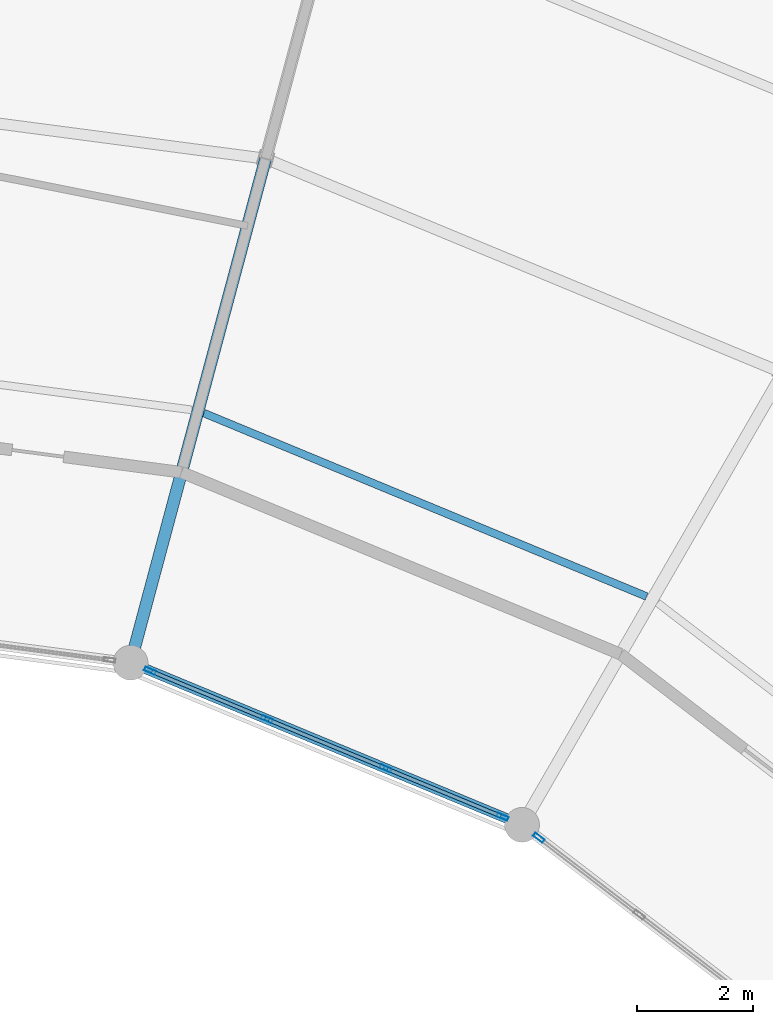
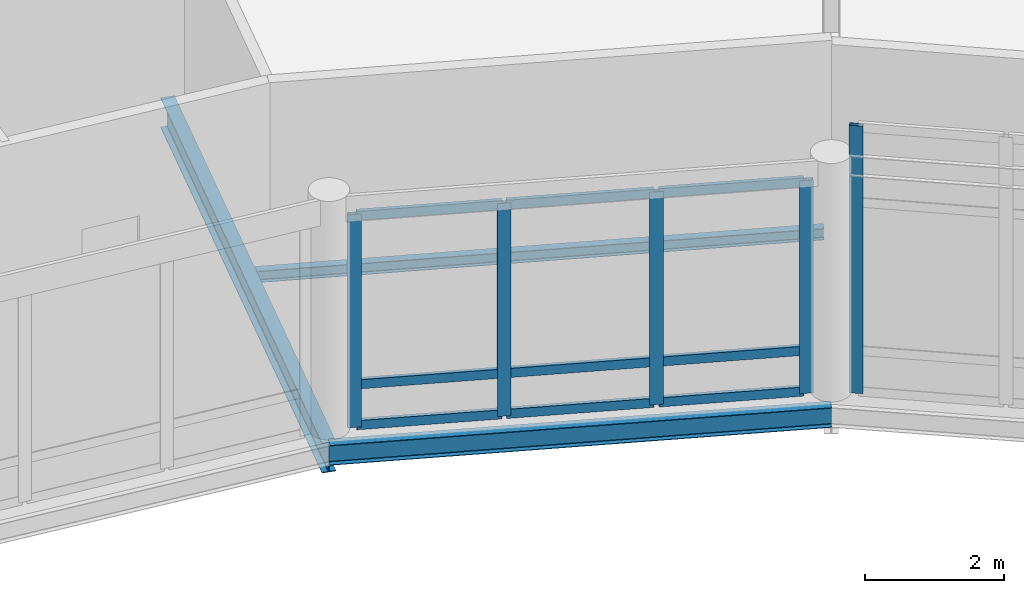
# One storey, part 99 of 200: 14 members, 3 beams, 2 elements without a shape of their own.
"""IFC4 building model written with IfcOpenShell, lengths in metres."""

from ifc_helpers import new_model, si_unit, direction, frame, origin, origin_2d, place, context, subcontext, project, spatial, hollow_rectangle, i_section, extrude, material, material_profile, profile_set, type_object, element, aggregate, save


model = new_model("IFC4")

# Units and contexts
model_context = context("Model", 3, precision=1e-05, world=origin(), true_north=direction((0.0, 1.0)))
body_context = subcontext(model_context, "Body", "Model", "MODEL_VIEW")
ifc_project = project(units=[si_unit("LENGTHUNIT", "METRE"), si_unit("AREAUNIT", "SQUARE_METRE"), si_unit("VOLUMEUNIT", "CUBIC_METRE"), si_unit("PLANEANGLEUNIT", "RADIAN"), si_unit("MASSUNIT", "GRAM", prefix="KILO")], contexts=[model_context])

# Site, building, storey
site_placement = place(None, origin())
site = spatial("IfcSite", under=ifc_project, at=site_placement, CompositionType="ELEMENT")
building_placement = place(site_placement, origin())
building = spatial("IfcBuilding", under=site, at=building_placement, Name="Vondelvale Polytechnic", CompositionType="ELEMENT")
storey_placement = place(building_placement, frame((0.0, 0.0, 13.800048828125)))
storey = spatial("IfcBuildingStorey", under=building, at=storey_placement, Name="L03", CompositionType="ELEMENT", Elevation=13.800048828125)

# Beams
ifc_material_1 = material(Name="Steel 300PLUS (fy = 300 MPa)", Category="steel")
ifc_material_profile_1 = material_profile(ifc_material_1, i_section(OverallWidth=0.1708984375, OverallDepth=0.35205078125, WebThickness=0.0068359375, FlangeThickness=0.009765625, FilletRadius=0.011474609375, at=origin_2d()), Name="360UB44.7")
ifc_profile_set_1 = profile_set([ifc_material_profile_1], Name="Steel 300PLUS (fy = 300 MPa)")
beam_type_1 = type_object("IfcBeamType", Name="BM-UB360L", PredefinedType="BEAM", material=ifc_profile_set_1)
beam_1_placement = place(storey_placement, frame((116.0, 96.248779296875, -0.426025390625), z_axis=(-0.923886161226, 0.382667428841, 0.0), x_axis=(-0.382667428841, -0.923886161226, 0.0)))
element("IfcBeam", 1, at=beam_1_placement, inside=storey, type_object=beam_type_1, Name="L03 RB B-24", PredefinedType="BEAM", context=body_context, shape_type="SweptSolid", body=[
    extrude(i_section(OverallWidth=0.1708984375, OverallDepth=0.35205078125, WebThickness=0.0068359375, FlangeThickness=0.009765625, FilletRadius=0.011474609375, at=origin_2d()), origin(), (0.0, 0.0, 1.0), 7.3095703125),
])
ifc_material_profile_2 = material_profile(ifc_material_1, i_section(OverallWidth=0.208984375, OverallDepth=0.528076171875, WebThickness=0.009521484375, FlangeThickness=0.01318359375, FilletRadius=0.013916015625, at=origin_2d()), Name="530UB82.0")
ifc_profile_set_2 = profile_set([ifc_material_profile_2], Name="Steel 300PLUS (fy = 300 MPa)")
beam_type_2 = type_object("IfcBeamType", Name="BM-UB530L", PredefinedType="BEAM", material=ifc_profile_set_2)
beam_2_placement = place(storey_placement, frame((109.246826171875, 99.0458984375, -0.51416015625), z_axis=(0.258840941576, 0.965919958881, 0.0), x_axis=(-0.965919958881, 0.258840941576, 0.0)))
element("IfcBeam", 2, at=beam_2_placement, inside=storey, type_object=beam_type_2, Name="L03 RG B-21", PredefinedType="BEAM", context=body_context, shape_type="SweptSolid", body=[
    extrude(i_section(OverallWidth=0.208984375, OverallDepth=0.528076171875, WebThickness=0.009521484375, FlangeThickness=0.01318359375, FilletRadius=0.013916015625, at=origin_2d()), origin(), (0.0, 0.0, 1.0), 9.0),
])

# Curtain wall, member
ifc_material_2 = material(Name="Anodised extruded aluminium 6063-T6", Category="aluminium")
curtain_wall_type = type_object("IfcCurtainWallType", Name="CW-RING-CLOISTER", PredefinedType="NOTDEFINED", material=ifc_material_2)
curtain_wall_1_placement = place(storey_placement, origin())
curtain_wall_1 = element("IfcCurtainWall", 3, at=curtain_wall_1_placement, inside=storey, type_object=curtain_wall_type, Name="L03 architectural curtain wall CW-03-108", PredefinedType="NOTDEFINED")
ifc_material_profile_3 = material_profile(ifc_material_2, hollow_rectangle(XDim=0.070068359375, YDim=0.199951171875, WallThickness=0.00390625, at=origin_2d()), Name="CW-MUL-200x70")
ifc_profile_set_3 = profile_set([ifc_material_profile_3], Name="Anodised extruded aluminium 6063-T6")
member_type_1 = type_object("IfcMemberType", Name="CW-MUL-70x200", PredefinedType="MULLION", material=ifc_profile_set_3)
member_1_placement = place(storey_placement, frame((116.28857421875, 96.02734375, 0.0), z_axis=(0.0, 0.0, 1.0), x_axis=(-0.608747717793, -0.793363861089, 0.0)))
member_1 = element("IfcMember", 4, at=member_1_placement, type_object=member_type_1, Name="CW-03-108 mullion 4", PredefinedType="MULLION", context=body_context, shape_type="SweptSolid", body=[
    extrude(hollow_rectangle(XDim=0.070068359375, YDim=0.199951171875, WallThickness=0.00390625, at=origin_2d()), origin(), (0.0, 0.0, 1.0), 4.713134765625),
])
aggregate(curtain_wall_1, [member_1])

# Curtain wall, members
curtain_wall_2_placement = place(storey_placement, origin())
curtain_wall_2 = element("IfcCurtainWall", 5, at=curtain_wall_2_placement, inside=storey, type_object=curtain_wall_type, Name="L03 architectural curtain wall CW-03-123", PredefinedType="NOTDEFINED")
member_2_placement = place(storey_placement, frame((115.662841796875, 96.388427734375, 0.0), z_axis=(0.0, 0.0, 1.0), x_axis=(-0.382678531697, -0.923881562419, 0.0)))
member_2 = element("IfcMember", 6, at=member_2_placement, type_object=member_type_1, Name="CW-03-123 mullion 1", PredefinedType="MULLION", context=body_context, shape_type="SweptSolid", body=[
    extrude(hollow_rectangle(XDim=0.070068359375, YDim=0.199951171875, WallThickness=0.00390625, at=origin_2d()), origin(), (0.0, 0.0, 1.0), 3.75),
])
member_3_placement = place(storey_placement, frame((113.647216796875, 97.22314453125, 0.0), z_axis=(0.0, 0.0, 1.0), x_axis=(-0.382678531697, -0.923881562419, 0.0)))
member_3 = element("IfcMember", 7, at=member_3_placement, type_object=member_type_1, Name="CW-03-123 mullion 2", PredefinedType="MULLION", context=body_context, shape_type="SweptSolid", body=[
    extrude(hollow_rectangle(XDim=0.070068359375, YDim=0.199951171875, WallThickness=0.00390625, at=origin_2d()), origin(), (0.0, 0.0, 1.0), 3.75),
])
member_4_placement = place(storey_placement, frame((111.599609375, 98.0712890625, 0.0), z_axis=(0.0, 0.0, 1.0), x_axis=(-0.382678531697, -0.923881562419, 0.0)))
member_4 = element("IfcMember", 8, at=member_4_placement, type_object=member_type_1, Name="CW-03-123 mullion 3", PredefinedType="MULLION", context=body_context, shape_type="SweptSolid", body=[
    extrude(hollow_rectangle(XDim=0.070068359375, YDim=0.199951171875, WallThickness=0.00390625, at=origin_2d()), origin(), (0.0, 0.0, 1.0), 3.75),
])
member_5_placement = place(storey_placement, frame((109.584228515625, 98.90625, 0.0), z_axis=(0.0, 0.0, 1.0), x_axis=(-0.382678531697, -0.923881562419, 0.0)))
member_5 = element("IfcMember", 9, at=member_5_placement, type_object=member_type_1, Name="CW-03-123 mullion 4", PredefinedType="MULLION", context=body_context, shape_type="SweptSolid", body=[
    extrude(hollow_rectangle(XDim=0.070068359375, YDim=0.199951171875, WallThickness=0.00390625, at=origin_2d()), origin(), (0.0, 0.0, 1.0), 3.75),
])
ifc_material_profile_4 = material_profile(ifc_material_2, hollow_rectangle(XDim=0.06494140625, YDim=0.159912109375, WallThickness=0.00341796875, at=origin_2d()), Name="CW-TRN-160x65")
ifc_profile_set_4 = profile_set([ifc_material_profile_4], Name="Anodised extruded aluminium 6063-T6")
member_type_2 = type_object("IfcMemberType", Name="CW-TRN-70x160", PredefinedType="USERDEFINED", material=ifc_profile_set_4)
member_6_placement = place(storey_placement, frame((115.63037109375, 96.40185546875, 0.032470703125), z_axis=(-0.923902685011, 0.382627532503, 0.0), x_axis=(-0.382627532503, -0.923902685011, 0.0)))
member_6 = element("IfcMember", 10, at=member_6_placement, type_object=member_type_2, Name="CW-03-123 transom 1.1", ObjectType="TRANSOM", PredefinedType="USERDEFINED", context=body_context, shape_type="SweptSolid", body=[
    extrude(hollow_rectangle(XDim=0.06494140625, YDim=0.159912109375, WallThickness=0.00341796875, at=origin_2d()), origin(), (0.0, 0.0, 1.0), 2.111328125),
])
member_7_placement = place(storey_placement, frame((115.63037109375, 96.40185546875, 0.75), z_axis=(-0.923902685011, 0.382627532503, 0.0), x_axis=(-0.382627532503, -0.923902685011, 0.0)))
member_7 = element("IfcMember", 11, at=member_7_placement, type_object=member_type_2, Name="CW-03-123 transom 1.2", ObjectType="TRANSOM", PredefinedType="USERDEFINED", context=body_context, shape_type="SweptSolid", body=[
    extrude(hollow_rectangle(XDim=0.06494140625, YDim=0.159912109375, WallThickness=0.00341796875, at=origin_2d()), origin(), (0.0, 0.0, 1.0), 2.111328125),
])
member_8_placement = place(storey_placement, frame((115.63037109375, 96.40185546875, 3.717529296875), z_axis=(-0.923902685011, 0.382627532503, 0.0), x_axis=(-0.382627532503, -0.923902685011, 0.0)))
member_8 = element("IfcMember", 12, at=member_8_placement, type_object=member_type_2, Name="CW-03-123 transom 1.3", ObjectType="TRANSOM", PredefinedType="USERDEFINED", context=body_context, shape_type="SweptSolid", body=[
    extrude(hollow_rectangle(XDim=0.06494140625, YDim=0.159912109375, WallThickness=0.00341796875, at=origin_2d()), origin(), (0.0, 0.0, 1.0), 2.111328125),
])
member_9_placement = place(storey_placement, frame((113.614990234375, 97.236572265625, 0.032470703125), z_axis=(-0.923865730094, 0.382716752649, 0.0), x_axis=(-0.382716752649, -0.923865730094, 0.0)))
member_9 = element("IfcMember", 13, at=member_9_placement, type_object=member_type_2, Name="CW-03-123 transom 2.1", ObjectType="TRANSOM", PredefinedType="USERDEFINED", context=body_context, shape_type="SweptSolid", body=[
    extrude(hollow_rectangle(XDim=0.06494140625, YDim=0.159912109375, WallThickness=0.00341796875, at=origin_2d()), origin(), (0.0, 0.0, 1.0), 2.146484375),
])
member_10_placement = place(storey_placement, frame((113.614990234375, 97.236572265625, 0.75), z_axis=(-0.923865730094, 0.382716752649, 0.0), x_axis=(-0.382716752649, -0.923865730094, 0.0)))
member_10 = element("IfcMember", 14, at=member_10_placement, type_object=member_type_2, Name="CW-03-123 transom 2.2", ObjectType="TRANSOM", PredefinedType="USERDEFINED", context=body_context, shape_type="SweptSolid", body=[
    extrude(hollow_rectangle(XDim=0.06494140625, YDim=0.159912109375, WallThickness=0.00341796875, at=origin_2d()), origin(), (0.0, 0.0, 1.0), 2.146484375),
])
member_11_placement = place(storey_placement, frame((113.614990234375, 97.236572265625, 3.717529296875), z_axis=(-0.923865730094, 0.382716752649, 0.0), x_axis=(-0.382716752649, -0.923865730094, 0.0)))
member_11 = element("IfcMember", 15, at=member_11_placement, type_object=member_type_2, Name="CW-03-123 transom 2.3", ObjectType="TRANSOM", PredefinedType="USERDEFINED", context=body_context, shape_type="SweptSolid", body=[
    extrude(hollow_rectangle(XDim=0.06494140625, YDim=0.159912109375, WallThickness=0.00341796875, at=origin_2d()), origin(), (0.0, 0.0, 1.0), 2.146484375),
])
member_12_placement = place(storey_placement, frame((111.567138671875, 98.084716796875, 0.032470703125), z_axis=(-0.923861804277, 0.382726229306, 0.0), x_axis=(-0.382726229306, -0.923861804277, 0.0)))
member_12 = element("IfcMember", 16, at=member_12_placement, type_object=member_type_2, Name="CW-03-123 transom 3.1", ObjectType="TRANSOM", PredefinedType="USERDEFINED", context=body_context, shape_type="SweptSolid", body=[
    extrude(hollow_rectangle(XDim=0.06494140625, YDim=0.159912109375, WallThickness=0.00341796875, at=origin_2d()), origin(), (0.0, 0.0, 1.0), 2.111328125),
])
member_13_placement = place(storey_placement, frame((111.567138671875, 98.084716796875, 0.75), z_axis=(-0.923861804277, 0.382726229306, 0.0), x_axis=(-0.382726229306, -0.923861804277, 0.0)))
member_13 = element("IfcMember", 17, at=member_13_placement, type_object=member_type_2, Name="CW-03-123 transom 3.2", ObjectType="TRANSOM", PredefinedType="USERDEFINED", context=body_context, shape_type="SweptSolid", body=[
    extrude(hollow_rectangle(XDim=0.06494140625, YDim=0.159912109375, WallThickness=0.00341796875, at=origin_2d()), origin(), (0.0, 0.0, 1.0), 2.111328125),
])
member_14_placement = place(storey_placement, frame((111.567138671875, 98.084716796875, 3.717529296875), z_axis=(-0.923861804277, 0.382726229306, 0.0), x_axis=(-0.382726229306, -0.923861804277, 0.0)))
member_14 = element("IfcMember", 18, at=member_14_placement, type_object=member_type_2, Name="CW-03-123 transom 3.3", ObjectType="TRANSOM", PredefinedType="USERDEFINED", context=body_context, shape_type="SweptSolid", body=[
    extrude(hollow_rectangle(XDim=0.06494140625, YDim=0.159912109375, WallThickness=0.00341796875, at=origin_2d()), origin(), (0.0, 0.0, 1.0), 2.111328125),
])
aggregate(curtain_wall_2, [member_2, member_3, member_4, member_5, member_6, member_7, member_8, member_9, member_10, member_11, member_12, member_13, member_14])

# Beam
ifc_material_profile_5 = material_profile(ifc_material_1, i_section(OverallWidth=0.133056640625, OverallDepth=0.202880859375, WebThickness=0.005859375, FlangeThickness=0.0078125, FilletRadius=0.0087890625, at=origin_2d()), Name="200UB25.4")
ifc_profile_set_5 = profile_set([ifc_material_profile_5], Name="Steel 300PLUS (fy = 300 MPa)")
beam_type_3 = type_object("IfcBeamType", Name="JST-UB200", PredefinedType="JOIST", material=ifc_profile_set_5)
beam_3_placement = place(storey_placement, frame((118.1484375, 100.18798828125, -0.3515625), z_axis=(-0.923880733098, 0.38268053388, 0.0), x_axis=(-0.38268053388, -0.923880733098, 0.0)))
element("IfcBeam", 19, at=beam_3_placement, inside=storey, type_object=beam_type_3, Name="L03 RJ J-09", PredefinedType="JOIST", context=body_context, shape_type="SweptSolid", body=[
    extrude(i_section(OverallWidth=0.133056640625, OverallDepth=0.202880859375, WebThickness=0.005859375, FlangeThickness=0.0078125, FilletRadius=0.0087890625, at=origin_2d()), origin(), (0.0, 0.0, 1.0), 8.264404296875),
])

save(model, "model.ifc")
